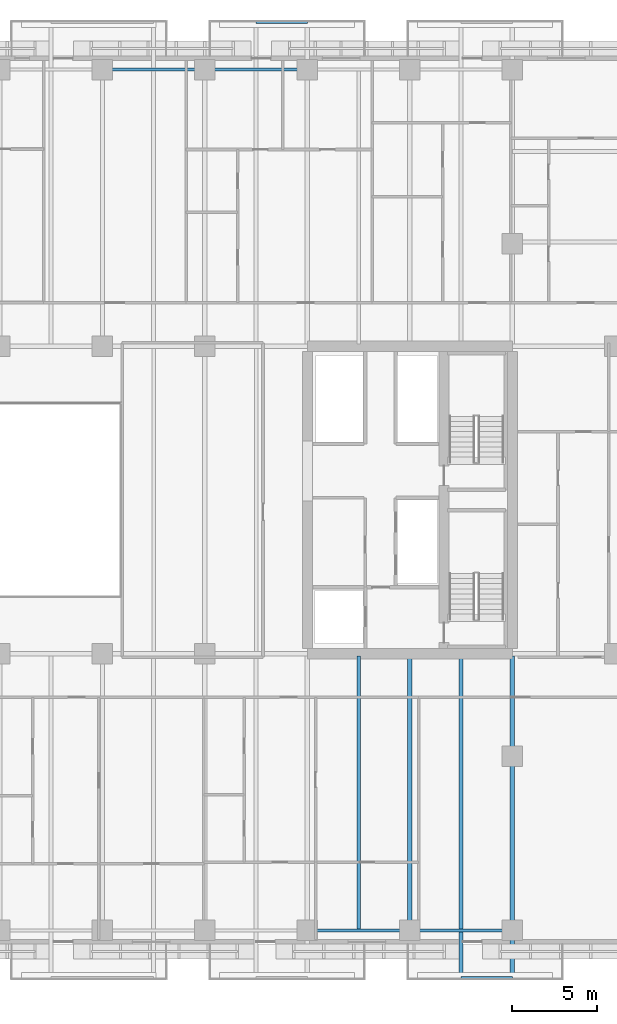
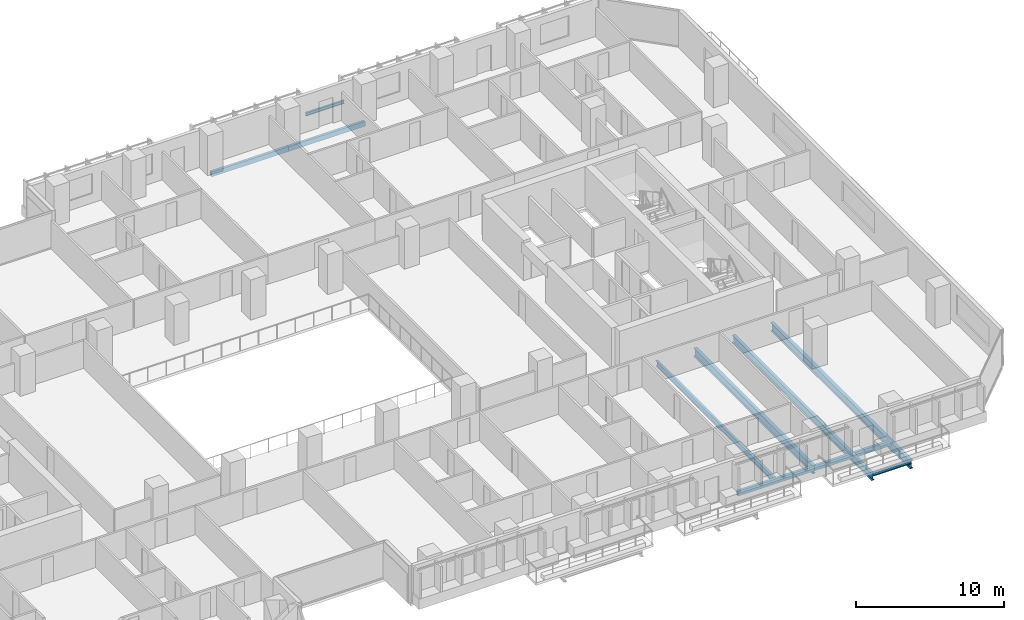
# One storey, part 13 of 33: 10 beams.
"""IFC4 building model written with IfcOpenShell, lengths in metres."""

from ifc_helpers import new_model, si_unit, direction, frame, origin, origin_2d, place, context, subcontext, project, spatial, hollow_rectangle, i_section, extrude, material, material_profile, profile_set, type_object, element, save


model = new_model("IFC4")

# Units and contexts
model_context = context("Model", 3, precision=1e-05, world=origin(), true_north=direction((0.0, 1.0)))
body_context = subcontext(model_context, "Body", "Model", "MODEL_VIEW")
ifc_project = project(units=[si_unit("LENGTHUNIT", "METRE"), si_unit("AREAUNIT", "SQUARE_METRE"), si_unit("VOLUMEUNIT", "CUBIC_METRE"), si_unit("PLANEANGLEUNIT", "RADIAN"), si_unit("MASSUNIT", "GRAM", prefix="KILO")], contexts=[model_context])

# Site, building, storey
site_placement = place(None, origin())
site = spatial("IfcSite", under=ifc_project, at=site_placement, CompositionType="ELEMENT")
building_placement = place(site_placement, origin())
building = spatial("IfcBuilding", under=site, at=building_placement, Name="Tanjung Sevakor Pilgrim Tower", CompositionType="ELEMENT")
storey_placement = place(building_placement, frame((0.0, 0.0, 52.139892578125)))
storey = spatial("IfcBuildingStorey", under=building, at=storey_placement, Name="L14", CompositionType="ELEMENT", Elevation=52.139892578125)

# Beams
ifc_material_1 = material(Name="Steel S355J2", Category="steel")
ifc_material_profile_1 = material_profile(ifc_material_1, i_section(OverallWidth=0.25439453125, OverallDepth=0.6875, WebThickness=0.01318359375, FlangeThickness=0.02099609375, FilletRadius=0.01513671875, at=origin_2d()))
ifc_profile_set_1 = profile_set([ifc_material_profile_1], Name="Steel S355J2")
beam_type_1 = type_object("IfcBeamType", Name="BM-B-G2-UB_686x254x152", PredefinedType="BEAM", material=ifc_profile_set_1)
beam_1_placement = place(storey_placement, frame((84.0, 8.39990234375, -0.5634765625), z_axis=(0.0, 1.0, 0.0), x_axis=(-1.0, 0.0, 0.0)))
element("IfcBeam", 1, at=beam_1_placement, inside=storey, type_object=beam_type_1, Name="L14 MAIN Girder 028", PredefinedType="BEAM", context=body_context, shape_type="SweptSolid", body=[
    extrude(i_section(OverallWidth=0.25439453125, OverallDepth=0.6875, WebThickness=0.01318359375, FlangeThickness=0.02099609375, FilletRadius=0.01513671875, at=origin_2d()), origin(), (0.0, 0.0, 1.0), 16.066162109375),
])
beam_2_placement = place(storey_placement, frame((90.0, 24.466064453125, -0.5634765625), z_axis=(0.0, -1.0, 0.0), x_axis=(1.0, 0.0, 0.0)))
element("IfcBeam", 2, at=beam_2_placement, inside=storey, type_object=beam_type_1, Name="L14 Balcony Cantilever Beam MAIN-S4-2", PredefinedType="BEAM", context=body_context, shape_type="SweptSolid", body=[
    extrude(i_section(OverallWidth=0.25439453125, OverallDepth=0.6875, WebThickness=0.01318359375, FlangeThickness=0.02099609375, FilletRadius=0.01513671875, at=origin_2d()), origin(), (0.0, 0.0, 1.0), 18.845947265625),
])
ifc_material_2 = material(Name="Steel S355J2", Category="steel")
ifc_material_profile_2 = material_profile(ifc_material_2, i_section(OverallWidth=0.22900390625, OverallDepth=0.6123046875, WebThickness=0.011962890625, FlangeThickness=0.01953125, FilletRadius=0.0126953125, at=origin_2d()))
ifc_profile_set_2 = profile_set([ifc_material_profile_2], Name="Steel S355J2")
beam_type_2 = type_object("IfcBeamType", Name="BM-B-G4-UB_610x229x125", PredefinedType="BEAM", material=ifc_profile_set_2)
beam_3_placement = place(storey_placement, frame((87.0, 24.466064453125, -0.52587890625), z_axis=(0.0, -1.0, 0.0), x_axis=(1.0, 0.0, 0.0)))
element("IfcBeam", 3, at=beam_3_placement, inside=storey, type_object=beam_type_2, Name="L14 Balcony Cantilever Beam MAIN-S4-1", PredefinedType="BEAM", context=body_context, shape_type="SweptSolid", body=[
    extrude(i_section(OverallWidth=0.22900390625, OverallDepth=0.6123046875, WebThickness=0.011962890625, FlangeThickness=0.01953125, FilletRadius=0.0126953125, at=origin_2d()), origin(), (0.0, 0.0, 1.0), 18.845947265625),
])
ifc_material_3 = material(Name="Steel S355J2", Category="steel")
ifc_material_profile_3 = material_profile(ifc_material_3, i_section(OverallWidth=0.19140625, OverallDepth=0.4599609375, WebThickness=0.010009765625, FlangeThickness=0.01611328125, FilletRadius=0.01025390625, at=origin_2d()))
ifc_profile_set_3 = profile_set([ifc_material_profile_3], Name="Steel S355J2")
beam_type_3 = type_object("IfcBeamType", Name="BM-B-J2-UB_457x191x82", PredefinedType="JOIST", material=ifc_profile_set_3)
beam_4_placement = place(storey_placement, frame((81.0, 8.5, -0.449951171875), z_axis=(0.0, 1.0, 0.0), x_axis=(-1.0, 0.0, 0.0)))
element("IfcBeam", 4, at=beam_4_placement, inside=storey, type_object=beam_type_3, Name="L14 MAIN Joist 026", PredefinedType="JOIST", context=body_context, shape_type="SweptSolid", body=[
    extrude(i_section(OverallWidth=0.19140625, OverallDepth=0.4599609375, WebThickness=0.010009765625, FlangeThickness=0.01611328125, FilletRadius=0.01025390625, at=origin_2d()), origin(), (0.0, 0.0, 1.0), 15.966064453125),
])
ifc_material_4 = material(Name="Steel S355J2", Category="steel")
ifc_material_profile_4 = material_profile(ifc_material_4, i_section(OverallWidth=0.146484375, OverallDepth=0.256103515625, WebThickness=0.00634765625, FlangeThickness=0.010986328125, FilletRadius=0.007568359375, at=origin_2d()))
ifc_profile_set_4 = profile_set([ifc_material_profile_4], Name="Steel S355J2")
beam_type_4 = type_object("IfcBeamType", Name="BM-B-J6-UB_254x146x37", PredefinedType="JOIST", material=ifc_profile_set_4)
for number, where, z_axis, x_axis, name in (
    (5, (75.0, 61.580078125, -0.327880859375), (1.0, 0.0, 0.0), (0.0, 1.0, 0.0), "L14 Balcony Rim Tie MAIN-N3"),
    (6, (87.0, 5.6201171875, -0.327880859375), (1.0, 0.0, 0.0), (0.0, 1.0, 0.0), "L14 Balcony Rim Tie MAIN-S4"),
):
    element("IfcBeam", number, at=place(storey_placement, frame(where, z_axis=z_axis, x_axis=x_axis)), inside=storey, type_object=beam_type_4, Name=name, PredefinedType="JOIST", context=body_context, shape_type="SweptSolid", body=[
        extrude(i_section(OverallWidth=0.146484375, OverallDepth=0.256103515625, WebThickness=0.00634765625, FlangeThickness=0.010986328125, FilletRadius=0.007568359375, at=origin_2d()), origin(), (0.0, 0.0, 1.0), 3.0),
    ])
ifc_material_5 = material(Name="Steel S355J2", Category="steel")
ifc_material_profile_5 = material_profile(ifc_material_5, hollow_rectangle(XDim=0.199951171875, YDim=0.39990234375, WallThickness=0.01611328125, at=origin_2d()))
ifc_profile_set_5 = profile_set([ifc_material_profile_5], Name="Steel S355J2")
beam_type_5 = type_object("IfcBeamType", Name="BM-B-SP2-RHS_400x200x16", PredefinedType="SPANDREL", material=ifc_profile_set_5)
for number, where, z_axis, x_axis, name in (
    (7, (66.0, 58.800048828125, -0.419921875), (1.0, 0.0, 0.0), (0.0, 1.0, 0.0), "L14 Spandrel MAIN N-12"),
    (8, (72.0, 58.800048828125, -0.419921875), (1.0, 0.0, 0.0), (0.0, 1.0, 0.0), "L14 Spandrel MAIN N-14"),
    (9, (78.0, 8.39990234375, -0.419921875), (1.0, 0.0, 0.0), (0.0, 1.0, 0.0), "L14 Spandrel MAIN S-15"),
    (10, (84.0, 8.39990234375, -0.419921875), (1.0, 0.0, 0.0), (0.0, 1.0, 0.0), "L14 Spandrel MAIN S-17"),
):
    element("IfcBeam", number, at=place(storey_placement, frame(where, z_axis=z_axis, x_axis=x_axis)), inside=storey, type_object=beam_type_5, Name=name, PredefinedType="SPANDREL", context=body_context, shape_type="SweptSolid", body=[
        extrude(hollow_rectangle(XDim=0.199951171875, YDim=0.39990234375, WallThickness=0.01611328125, at=origin_2d()), origin(), (0.0, 0.0, 1.0), 6.0),
    ])

save(model, "model.ifc")
